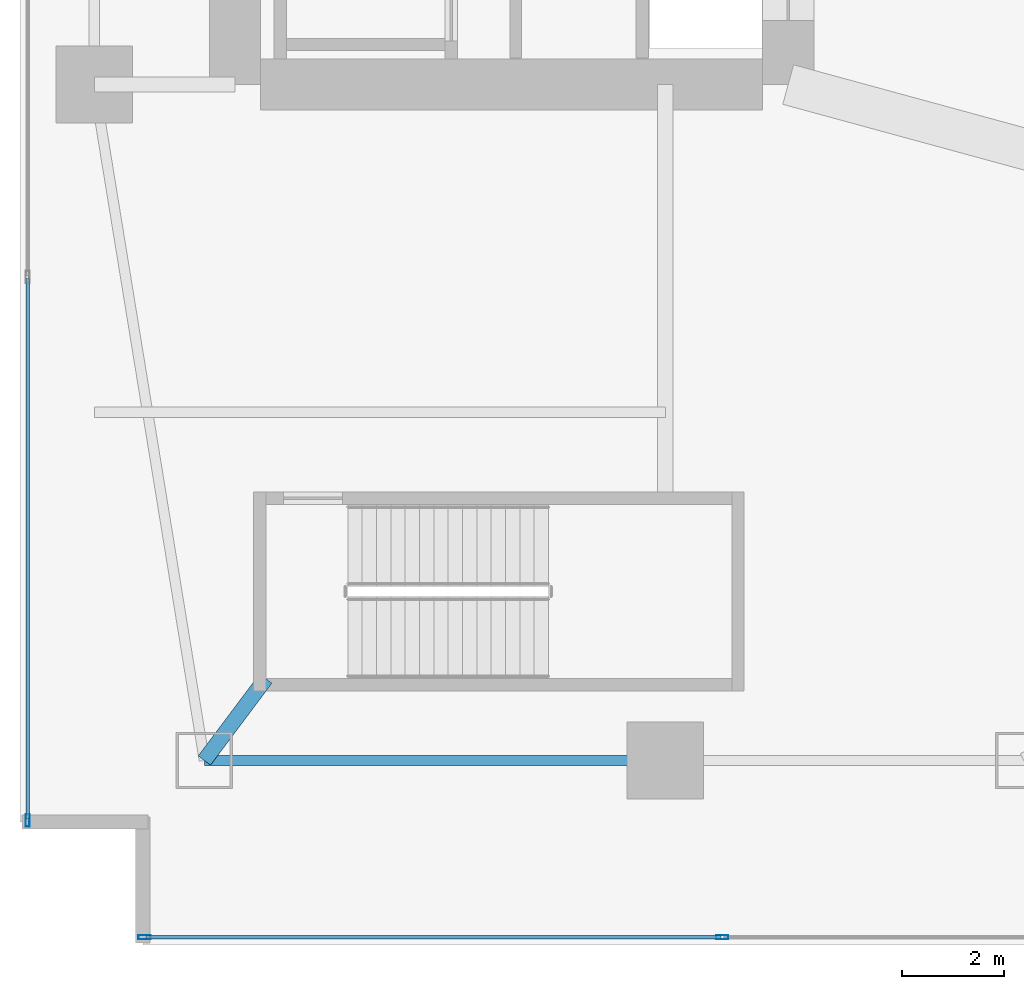
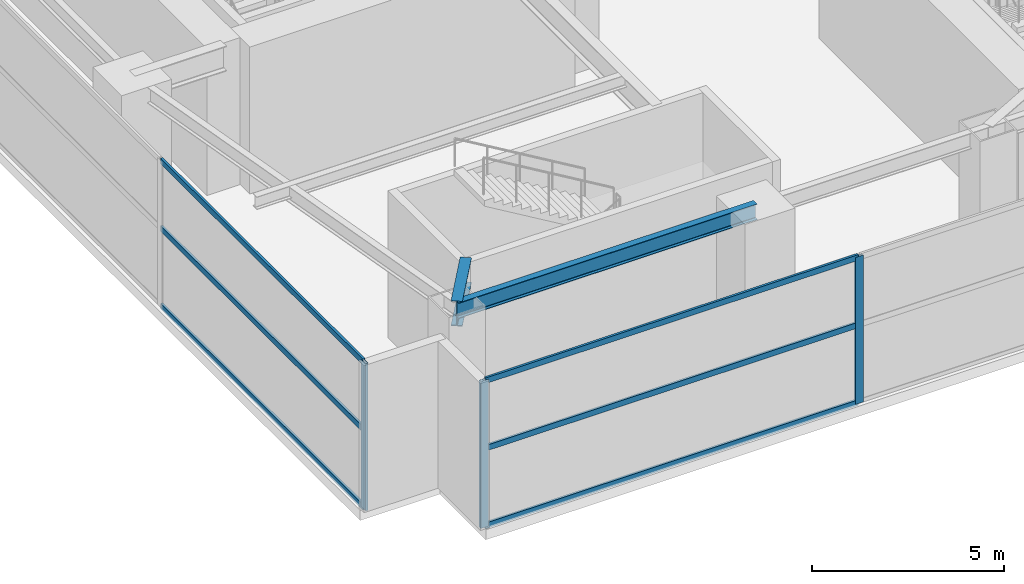
# One storey, part 4 of 35: 9 members, 2 beams, 2 elements without a shape of their own.
"""IFC4 building model written with IfcOpenShell, lengths in metres."""

from ifc_helpers import new_model, si_unit, direction, frame, origin, origin_2d, place, context, subcontext, project, spatial, hollow_rectangle, i_section, extrude, material, layer, layer_set, material_profile, profile_set, type_object, element, aggregate, save


model = new_model("IFC4")

# Units and contexts
model_context = context("Model", 3, precision=1e-05, world=origin(), true_north=direction((0.0, 1.0)))
body_context = subcontext(model_context, "Body", "Model", "MODEL_VIEW")
ifc_project = project(units=[si_unit("LENGTHUNIT", "METRE"), si_unit("AREAUNIT", "SQUARE_METRE"), si_unit("VOLUMEUNIT", "CUBIC_METRE"), si_unit("PLANEANGLEUNIT", "RADIAN"), si_unit("MASSUNIT", "GRAM", prefix="KILO")], contexts=[model_context])

# Site, building, storey
site_placement = place(None, origin())
site = spatial("IfcSite", under=ifc_project, at=site_placement, CompositionType="ELEMENT")
building_placement = place(site_placement, origin())
building = spatial("IfcBuilding", under=site, at=building_placement, Name="Calvorn Quay Hotel", CompositionType="ELEMENT")
storey_placement = place(building_placement, frame((0.0, 0.0, 12.0)))
storey = spatial("IfcBuildingStorey", under=building, at=storey_placement, Name="L02", CompositionType="ELEMENT", Elevation=12.0)

# Beams
ifc_material_1 = material(Name="Steel Q390GJC", Category="steel")
ifc_material_profile_1 = material_profile(ifc_material_1, i_section(OverallWidth=0.300048828125, OverallDepth=0.800048828125, WebThickness=0.013916015625, FlangeThickness=0.02587890625, FilletRadius=0.02392578125, at=origin_2d()), Name="HN800x300x14x26")
ifc_profile_set_1 = profile_set([ifc_material_profile_1], Name="Steel Q390GJC")
beam_type_1 = type_object("IfcBeamType", Name="BM-GIRD-POD", PredefinedType="BEAM", material=ifc_profile_set_1)
beam_1_placement = place(storey_placement, frame((3.60009765625, 3.60009765625, 4.280029296875), z_axis=(0.600019532502, 0.799985350251, 0.0), x_axis=(-0.799985350251, 0.600019532502, 0.0)))
element("IfcBeam", 1, at=beam_1_placement, inside=storey, type_object=beam_type_1, Name="Beam BG-L02-W0", PredefinedType="BEAM", context=body_context, shape_type="SweptSolid", body=[
    extrude(i_section(OverallWidth=0.300048828125, OverallDepth=0.800048828125, WebThickness=0.013916015625, FlangeThickness=0.02587890625, FilletRadius=0.02392578125, at=origin_2d()), origin(), (0.0, 0.0, 1.0), 1.999755859375),
])
ifc_material_2 = material(Name="Steel Q355B", Category="steel")
ifc_material_profile_2 = material_profile(ifc_material_2, i_section(OverallWidth=0.199951171875, OverallDepth=0.5, WebThickness=0.010009765625, FlangeThickness=0.01611328125, FilletRadius=0.01611328125, at=origin_2d()), Name="HN500x200x10x16")
ifc_profile_set_2 = profile_set([ifc_material_profile_2], Name="Steel Q355B")
beam_type_2 = type_object("IfcBeamType", Name="BM-SPANDREL-Z1", PredefinedType="SPANDREL", material=ifc_profile_set_2)
beam_2_placement = place(storey_placement, frame((3.60009765625, 3.60009765625, 4.429931640625), z_axis=(1.0, 0.0, 0.0), x_axis=(0.0, 1.0, 0.0)))
element("IfcBeam", 2, at=beam_2_placement, inside=storey, type_object=beam_type_2, Name="Beam BSP-L02-S1", PredefinedType="SPANDREL", context=body_context, shape_type="SweptSolid", body=[
    extrude(i_section(OverallWidth=0.199951171875, OverallDepth=0.5, WebThickness=0.010009765625, FlangeThickness=0.01611328125, FilletRadius=0.01611328125, at=origin_2d()), origin(), (0.0, 0.0, 1.0), 9.0),
])

# Curtain wall, members
ifc_material_3 = material(Name="Pale Anodised Aluminium and Low-E Glass", Category="aluminium")
ifc_layer = layer(ifc_material_3, 0.219970703125)
ifc_layer_set = layer_set([ifc_layer], Name="CW-SYS-POD")
curtain_wall_type = type_object("IfcCurtainWallType", Name="CW-SYS-POD", PredefinedType="NOTDEFINED", material=ifc_layer_set)
curtain_wall_1_placement = place(storey_placement, origin())
curtain_wall_1 = element("IfcCurtainWall", 3, at=curtain_wall_1_placement, inside=storey, type_object=curtain_wall_type, Name="Podium Curtain Wall L02-S1", PredefinedType="NOTDEFINED")
ifc_material_4 = material(Name="Pale Anodised Aluminium 6063-T6", Category="aluminium")
ifc_material_profile_3 = material_profile(ifc_material_4, hollow_rectangle(XDim=0.080078125, YDim=0.239990234375, WallThickness=0.0048828125, at=origin_2d()), Name="ALU-M240x80x5")
ifc_profile_set_3 = profile_set([ifc_material_profile_3], Name="Pale Anodised Aluminium 6063-T6")
member_type_1 = type_object("IfcMemberType", Name="CW-SYS-POD-MUL", PredefinedType="MULLION", material=ifc_profile_set_3)
member_1_placement = place(storey_placement, frame((2.429931640625, 0.14990234375, 0.0), z_axis=(0.0, 0.0, 1.0), x_axis=(0.0, 1.0, 0.0)))
member_1 = element("IfcMember", 4, at=member_1_placement, type_object=member_type_1, Name="CW-L02-S1 mullion 1", PredefinedType="MULLION", context=body_context, shape_type="SweptSolid", body=[
    extrude(hollow_rectangle(XDim=0.080078125, YDim=0.239990234375, WallThickness=0.0048828125, at=origin_2d()), origin(), (0.0, 0.0, 1.0), 4.679931640625),
])
member_2_placement = place(storey_placement, frame((13.71435546875, 0.14990234375, 0.0), z_axis=(0.0, 0.0, 1.0), x_axis=(0.0, 1.0, 0.0)))
member_2 = element("IfcMember", 5, at=member_2_placement, type_object=member_type_1, Name="CW-L02-S1 mullion 2", PredefinedType="MULLION", context=body_context, shape_type="SweptSolid", body=[
    extrude(hollow_rectangle(XDim=0.080078125, YDim=0.239990234375, WallThickness=0.0048828125, at=origin_2d()), origin(), (0.0, 0.0, 1.0), 4.679931640625),
])

# Curtain wall, member
curtain_wall_2_placement = place(storey_placement, origin())
curtain_wall_2 = element("IfcCurtainWall", 6, at=curtain_wall_2_placement, inside=storey, type_object=curtain_wall_type, Name="Podium Curtain Wall L02-W1", PredefinedType="NOTDEFINED")
member_3_placement = place(storey_placement, frame((0.14990234375, 2.429931640625, 0.0), z_axis=(0.0, 0.0, 1.0), x_axis=(-1.0, 0.0, 0.0)))
member_3 = element("IfcMember", 7, at=member_3_placement, type_object=member_type_1, Name="CW-L02-W1 mullion 1", PredefinedType="MULLION", context=body_context, shape_type="SweptSolid", body=[
    extrude(hollow_rectangle(XDim=0.080078125, YDim=0.239990234375, WallThickness=0.0048828125, at=origin_2d()), origin(), (0.0, 0.0, 1.0), 4.679931640625),
])

# Member
ifc_material_5 = material(Name="Pale Anodised Aluminium 6063-T6", Category="aluminium")
ifc_material_profile_4 = material_profile(ifc_material_5, hollow_rectangle(XDim=0.070068359375, YDim=0.179931640625, WallThickness=0.00390625, at=origin_2d()), Name="ALU-T180x70x4")
ifc_profile_set_4 = profile_set([ifc_material_profile_4], Name="Pale Anodised Aluminium 6063-T6")
member_type_2 = type_object("IfcMemberType", Name="CW-SYS-POD-TRN", PredefinedType="USERDEFINED", material=ifc_profile_set_4)
member_4_placement = place(storey_placement, frame((2.4599609375, 0.14990234375, 0.030029296875), z_axis=(1.0, 0.0, 0.0), x_axis=(0.0, 1.0, 0.0)))
member_4 = element("IfcMember", 8, at=member_4_placement, type_object=member_type_2, Name="CW-L02-S1 transom 1.1", ObjectType="TRANSOM", PredefinedType="USERDEFINED", context=body_context, shape_type="SweptSolid", body=[
    extrude(hollow_rectangle(XDim=0.070068359375, YDim=0.179931640625, WallThickness=0.00390625, at=origin_2d()), origin(), (0.0, 0.0, 1.0), 11.224365234375),
])

member_5_placement = place(storey_placement, frame((2.4599609375, 0.14990234375, 2.5), z_axis=(1.0, 0.0, 0.0), x_axis=(0.0, 1.0, 0.0)))
member_5 = element("IfcMember", 9, at=member_5_placement, type_object=member_type_2, Name="CW-L02-S1 transom 1.2", ObjectType="TRANSOM", PredefinedType="USERDEFINED", context=body_context, shape_type="SweptSolid", body=[
    extrude(hollow_rectangle(XDim=0.070068359375, YDim=0.179931640625, WallThickness=0.00390625, at=origin_2d()), origin(), (0.0, 0.0, 1.0), 11.224365234375),
])

member_6_placement = place(storey_placement, frame((2.4599609375, 0.14990234375, 4.64990234375), z_axis=(1.0, 0.0, 0.0), x_axis=(0.0, 1.0, 0.0)))
member_6 = element("IfcMember", 10, at=member_6_placement, type_object=member_type_2, Name="CW-L02-S1 transom 1.3", ObjectType="TRANSOM", PredefinedType="USERDEFINED", context=body_context, shape_type="SweptSolid", body=[
    extrude(hollow_rectangle(XDim=0.070068359375, YDim=0.179931640625, WallThickness=0.00390625, at=origin_2d()), origin(), (0.0, 0.0, 1.0), 11.224365234375),
])

aggregate(curtain_wall_1, [member_1, member_2, member_4, member_5, member_6])

member_7_placement = place(storey_placement, frame((0.14990234375, 2.4599609375, 0.030029296875), z_axis=(0.0, 1.0, 0.0), x_axis=(-1.0, 0.0, 0.0)))
member_7 = element("IfcMember", 11, at=member_7_placement, type_object=member_type_2, Name="CW-L02-W1 transom 1.1", ObjectType="TRANSOM", PredefinedType="USERDEFINED", context=body_context, shape_type="SweptSolid", body=[
    extrude(hollow_rectangle(XDim=0.070068359375, YDim=0.179931640625, WallThickness=0.00390625, at=origin_2d()), origin(), (0.0, 0.0, 1.0), 10.550048828125),
])

member_8_placement = place(storey_placement, frame((0.14990234375, 2.4599609375, 2.5), z_axis=(0.0, 1.0, 0.0), x_axis=(-1.0, 0.0, 0.0)))
member_8 = element("IfcMember", 12, at=member_8_placement, type_object=member_type_2, Name="CW-L02-W1 transom 1.2", ObjectType="TRANSOM", PredefinedType="USERDEFINED", context=body_context, shape_type="SweptSolid", body=[
    extrude(hollow_rectangle(XDim=0.070068359375, YDim=0.179931640625, WallThickness=0.00390625, at=origin_2d()), origin(), (0.0, 0.0, 1.0), 10.550048828125),
])

member_9_placement = place(storey_placement, frame((0.14990234375, 2.4599609375, 4.64990234375), z_axis=(0.0, 1.0, 0.0), x_axis=(-1.0, 0.0, 0.0)))
member_9 = element("IfcMember", 13, at=member_9_placement, type_object=member_type_2, Name="CW-L02-W1 transom 1.3", ObjectType="TRANSOM", PredefinedType="USERDEFINED", context=body_context, shape_type="SweptSolid", body=[
    extrude(hollow_rectangle(XDim=0.070068359375, YDim=0.179931640625, WallThickness=0.00390625, at=origin_2d()), origin(), (0.0, 0.0, 1.0), 10.550048828125),
])

aggregate(curtain_wall_2, [member_3, member_7, member_8, member_9])

save(model, "model.ifc")
